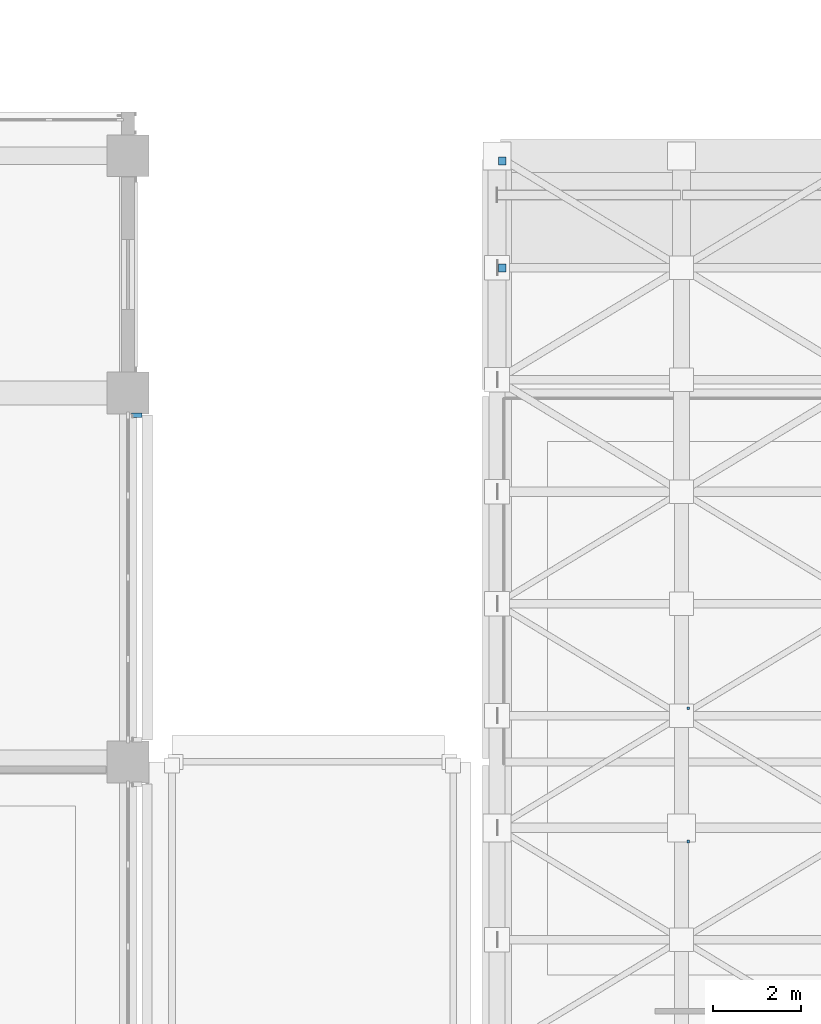
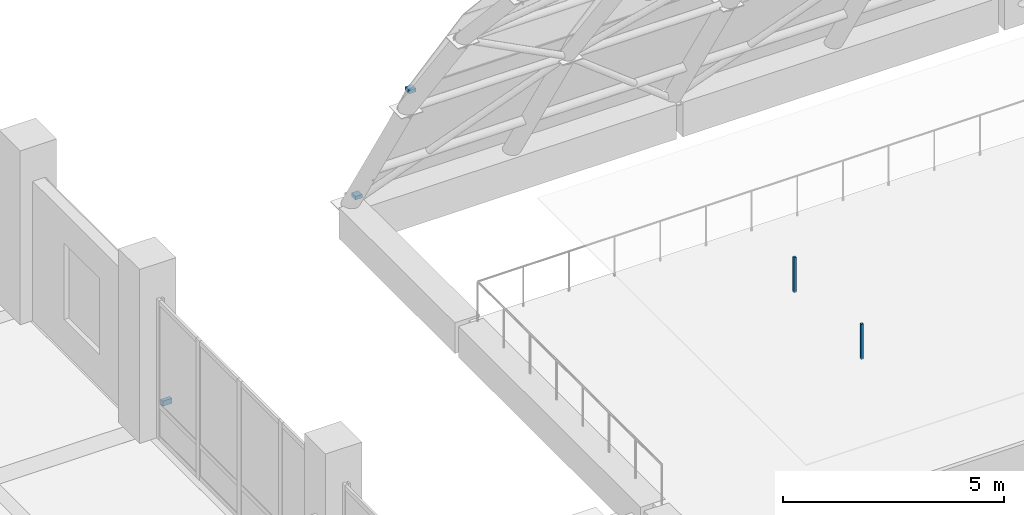
# One storey, part 81 of 128: 5 discrete accessories.
"""IFC4 building model written with IfcOpenShell, lengths in metres."""

from ifc_helpers import new_model, si_unit, direction, frame, origin, origin_2d, place, context, subcontext, project, spatial, rectangle, extrude, material, type_object, element, save


model = new_model("IFC4")

# Units and contexts
model_context = context("Model", 3, precision=1e-05, world=origin(), true_north=direction((0.0, 1.0)))
body_context = subcontext(model_context, "Body", "Model", "MODEL_VIEW")
ifc_project = project(units=[si_unit("LENGTHUNIT", "METRE"), si_unit("AREAUNIT", "SQUARE_METRE"), si_unit("VOLUMEUNIT", "CUBIC_METRE"), si_unit("PLANEANGLEUNIT", "RADIAN"), si_unit("MASSUNIT", "GRAM", prefix="KILO")], contexts=[model_context])

# Site, building, storey
site_placement = place(None, origin())
site = spatial("IfcSite", under=ifc_project, at=site_placement, CompositionType="ELEMENT")
building_placement = place(site_placement, origin())
building = spatial("IfcBuilding", under=site, at=building_placement, Name="Telukmera Botanical Conservatory", CompositionType="ELEMENT")
storey_placement = place(building_placement, frame((0.0, 0.0, 5.39990234375)))
storey = spatial("IfcBuildingStorey", under=building, at=storey_placement, Name="L01", CompositionType="ELEMENT", Elevation=5.39990234375)

# Discrete accessories
ifc_material = material(Name="Steel S355", Category="steel")
discrete_accessory_type_1 = type_object("IfcDiscreteAccessoryType", Name="ACC-CEIL-HGR", PredefinedType="BRACKET", material=ifc_material)
for number, where, z_axis, x_axis, name in (
    (1, (121.950927734375, 32.58740234375, 3.6201171875), (0.0, 0.0, 1.0), (1.0, 0.0, 0.0), "L01 Suspended Ceiling Hanger Rod 025-1"),
    (2, (121.950927734375, 35.625, 3.6201171875), (0.0, 0.0, 1.0), (1.0, 0.0, 0.0), "L01 Suspended Ceiling Hanger Rod 025-2"),
):
    element("IfcDiscreteAccessory", number, at=place(storey_placement, frame(where, z_axis=z_axis, x_axis=x_axis)), inside=storey, type_object=discrete_accessory_type_1, Name=name, PredefinedType="BRACKET", context=body_context, shape_type="SweptSolid", body=[
        extrude(rectangle(XDim=0.06005859375, YDim=0.06005859375, at=origin_2d()), origin(), (0.0, 0.0, 1.0), 0.965087890625),
    ])
discrete_accessory_type_2 = type_object("IfcDiscreteAccessoryType", Name="Structural Steel Facade Outrigger Fin Bracket", PredefinedType="BRACKET", material=ifc_material)
discrete_accessory_placement = place(storey_placement, frame((109.39990234375, 42.29052734375, 0.88037109375), z_axis=(0.0, 0.0, 1.0), x_axis=(0.0, 1.0, 0.0)))
element("IfcDiscreteAccessory", 3, at=discrete_accessory_placement, inside=storey, type_object=discrete_accessory_type_2, Name="Facade Outrigger Bracket V4:L01:E4 B", PredefinedType="BRACKET", context=body_context, shape_type="SweptSolid", body=[
    extrude(rectangle(XDim=0.10009765625, YDim=0.239990234375, at=origin_2d()), origin(), (0.0, 0.0, 1.0), 0.139892578125),
])
discrete_accessory_type_3 = type_object("IfcDiscreteAccessoryType", Name="Structural Steel Gridshell Glazing Shoe Bracket", PredefinedType="BRACKET", material=ifc_material)
for number, where, z_axis, x_axis, name in (
    (4, (117.719970703125, 45.64990234375, 4.56494140625), (0.0, 0.0, 1.0), (1.0, 0.0, 0.0), "Conservatory Node Glazing Spider Bracket 00-11"),
    (5, (117.719970703125, 48.080078125, 0.1650390625), (0.0, 0.0, 1.0), (1.0, 0.0, 0.0), "Conservatory Node Glazing Spider Bracket 00-12"),
):
    element("IfcDiscreteAccessory", number, at=place(storey_placement, frame(where, z_axis=z_axis, x_axis=x_axis)), inside=storey, type_object=discrete_accessory_type_3, Name=name, PredefinedType="BRACKET", context=body_context, shape_type="SweptSolid", body=[
        extrude(rectangle(XDim=0.179931640625, YDim=0.179931640625, at=origin_2d()), origin(), (0.0, 0.0, 1.0), 0.094970703125),
    ])

save(model, "model.ifc")
